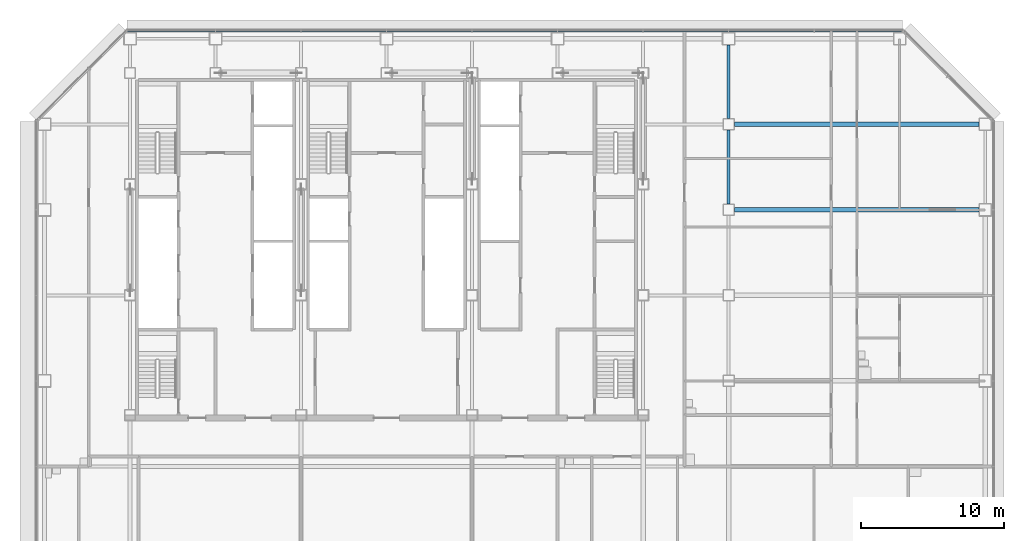
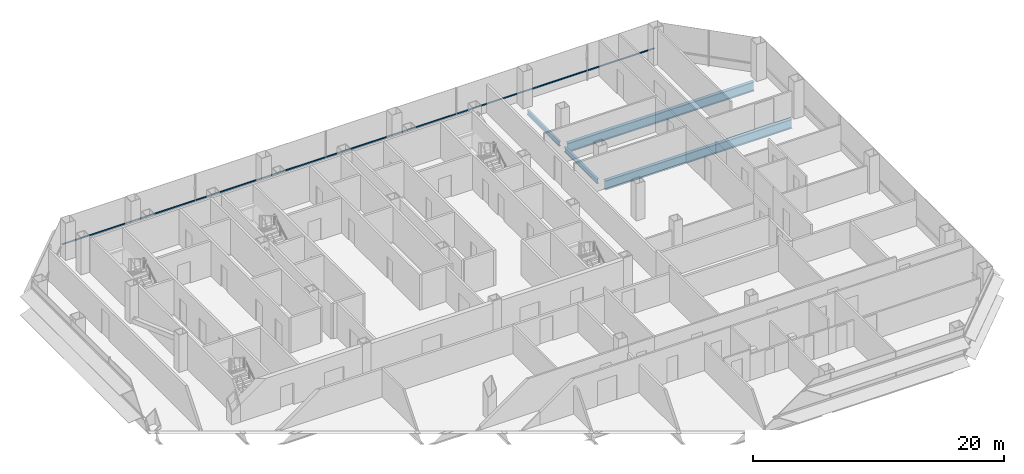
# One storey, part 14 of 27: 4 beams, 1 member, 1 element without a shape of its own.
"""IFC4 building model written with IfcOpenShell, lengths in metres."""

from ifc_helpers import new_model, si_unit, direction, frame, origin, origin_2d, place, context, subcontext, project, spatial, rectangle, i_section, extrude, material, material_profile, profile_set, type_object, element, aggregate, save


model = new_model("IFC4")

# Units and contexts
model_context = context("Model", 3, precision=1e-05, world=origin(), true_north=direction((0.0, 1.0)))
body_context = subcontext(model_context, "Body", "Model", "MODEL_VIEW")
ifc_project = project(units=[si_unit("LENGTHUNIT", "METRE"), si_unit("AREAUNIT", "SQUARE_METRE"), si_unit("VOLUMEUNIT", "CUBIC_METRE"), si_unit("PLANEANGLEUNIT", "RADIAN"), si_unit("MASSUNIT", "GRAM", prefix="KILO")], contexts=[model_context])

# Site, building, storey
site_placement = place(None, origin())
site = spatial("IfcSite", under=ifc_project, at=site_placement, CompositionType="ELEMENT")
building_placement = place(site_placement, origin())
building = spatial("IfcBuilding", under=site, at=building_placement, Name="Sorahane Residences", CompositionType="ELEMENT")
storey_placement = place(building_placement, frame((0.0, 0.0, 53.39990234375)))
storey = spatial("IfcBuildingStorey", under=building, at=storey_placement, Name="L09", CompositionType="ELEMENT", Elevation=53.39990234375)

# Curtain wall, member
ifc_material_1 = material(Name="Dark low-e glass and black anodised aluminium", Category="aluminium")
curtain_wall_type = type_object("IfcCurtainWallType", Name="Curtain wall CW-1 Typical unitised wall", PredefinedType="NOTDEFINED", material=ifc_material_1)
curtain_wall_placement = place(storey_placement, origin())
curtain_wall = element("IfcCurtainWall", 1, at=curtain_wall_placement, inside=storey, type_object=curtain_wall_type, Name="CW-1 curtain wall L09 N1", PredefinedType="NOTDEFINED")
ifc_material_2 = material(Name="Black anodised aluminium", Category="aluminium")
ifc_material_profile_1 = material_profile(ifc_material_2, rectangle(XDim=0.10009765625, YDim=0.06005859375, at=origin_2d()), Name="Curtain wall transom CW-1 black anodised aluminium 60x100")
ifc_profile_set_1 = profile_set([ifc_material_profile_1], Name="Black anodised aluminium")
member_type = type_object("IfcMemberType", Name="Curtain wall transom CW-1 black anodised aluminium 60x100", PredefinedType="USERDEFINED", material=ifc_profile_set_1)
member_placement = place(storey_placement, frame((60.198486328125, 48.530029296875, 0.900146484375), z_axis=(-1.0, 0.0, 0.0), x_axis=(0.0, -1.0, 0.0)))
member = element("IfcMember", 2, at=member_placement, type_object=member_type, Name="CW-1 transom L09 N1", ObjectType="TRANSOM", PredefinedType="USERDEFINED", context=body_context, shape_type="SweptSolid", body=[
    extrude(rectangle(XDim=0.10009765625, YDim=0.06005859375, at=origin_2d()), origin(), (0.0, 0.0, 1.0), 54.39697265625),
])
aggregate(curtain_wall, [member])

# Beams
ifc_material_3 = material(Name="Steel Q355B", Category="steel")
ifc_material_profile_2 = material_profile(ifc_material_3, i_section(OverallWidth=0.199951171875, OverallDepth=0.449951171875, WebThickness=0.009033203125, FlangeThickness=0.013916015625, FilletRadius=0.02001953125, at=origin_2d()), Name="HN 450x200x9x14")
ifc_profile_set_2 = profile_set([ifc_material_profile_2], Name="Steel Q355B")
beam_type_1 = type_object("IfcBeamType", Name="Steel floor beam HN 450x200x9x14 Q355B", PredefinedType="BEAM", material=ifc_profile_set_2)
beam_1_placement = place(storey_placement, frame((48.0, 36.39990234375, -0.40478515625), z_axis=(0.0, 1.0, 0.0), x_axis=(-1.0, 0.0, 0.0)))
element("IfcBeam", 3, at=beam_1_placement, inside=storey, type_object=beam_type_1, Name="Beam L09 055", PredefinedType="BEAM", context=body_context, shape_type="SweptSolid", body=[
    extrude(i_section(OverallWidth=0.199951171875, OverallDepth=0.449951171875, WebThickness=0.009033203125, FlangeThickness=0.013916015625, FilletRadius=0.02001953125, at=origin_2d()), origin(), (0.0, 0.0, 1.0), 5.2001953125),
])
beam_2_placement = place(storey_placement, frame((48.0, 42.39990234375, -0.40478515625), z_axis=(0.0, 1.0, 0.0), x_axis=(-1.0, 0.0, 0.0)))
element("IfcBeam", 4, at=beam_2_placement, inside=storey, type_object=beam_type_1, Name="Beam L09 056", PredefinedType="BEAM", context=body_context, shape_type="SweptSolid", body=[
    extrude(i_section(OverallWidth=0.199951171875, OverallDepth=0.449951171875, WebThickness=0.009033203125, FlangeThickness=0.013916015625, FilletRadius=0.02001953125, at=origin_2d()), origin(), (0.0, 0.0, 1.0), 5.150146484375),
])
ifc_material_4 = material(Name="Steel Q355B", Category="steel")
ifc_material_profile_3 = material_profile(ifc_material_4, i_section(OverallWidth=0.300048828125, OverallDepth=0.89990234375, WebThickness=0.01611328125, FlangeThickness=0.028076171875, FilletRadius=0.028076171875, at=origin_2d()), Name="HN 900x300x16x28")
ifc_profile_set_3 = profile_set([ifc_material_profile_3], Name="Steel Q355B")
beam_type_2 = type_object("IfcBeamType", Name="Steel floor beam HN 900x300x16x28 Q355B", PredefinedType="BEAM", material=ifc_profile_set_3)
for number, where, z_axis, x_axis, name in (
    (5, (48.39990234375, 36.0, -0.6298828125), (1.0, 0.0, 0.0), (0.0, 1.0, 0.0), "Beam L09 011"),
    (6, (48.39990234375, 42.0, -0.6298828125), (1.0, 0.0, 0.0), (0.0, 1.0, 0.0), "Beam L09 081"),
):
    element("IfcBeam", number, at=place(storey_placement, frame(where, z_axis=z_axis, x_axis=x_axis)), inside=storey, type_object=beam_type_2, Name=name, PredefinedType="BEAM", context=body_context, shape_type="SweptSolid", body=[
        extrude(i_section(OverallWidth=0.300048828125, OverallDepth=0.89990234375, WebThickness=0.01611328125, FlangeThickness=0.028076171875, FilletRadius=0.028076171875, at=origin_2d()), origin(), (0.0, 0.0, 1.0), 17.150146484375),
    ])

save(model, "model.ifc")
